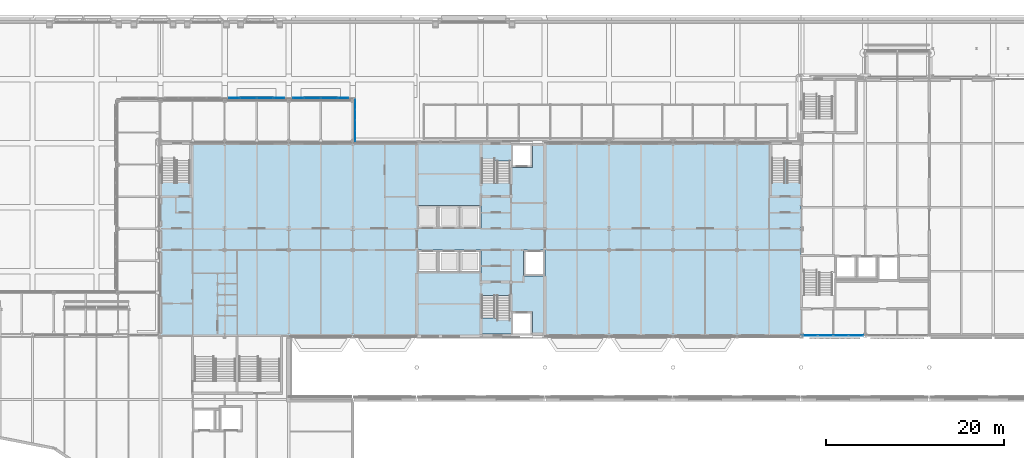
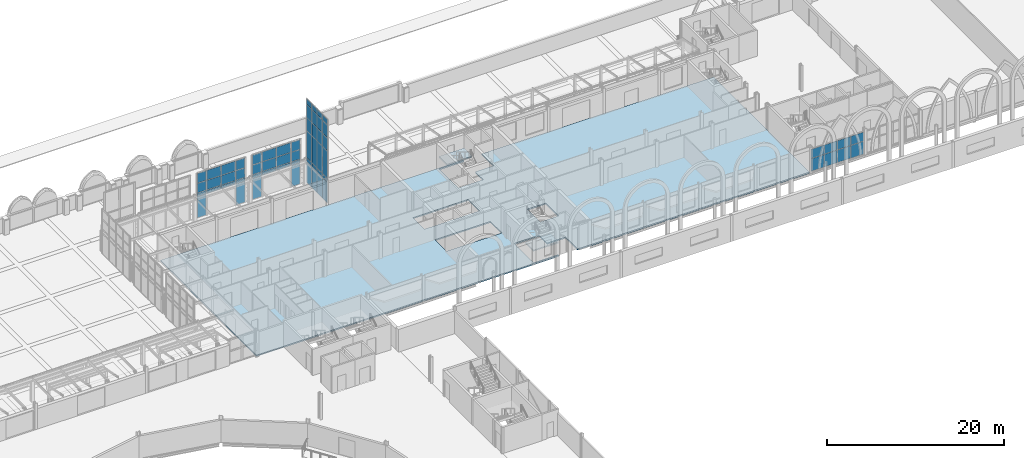
# One storey, part 66 of 143: 60 plates, 3 slabs, 10 elements without a shape of their own.
"""IFC4 building model written with IfcOpenShell, lengths in metres."""

from ifc_helpers import new_model, si_unit, direction, frame, origin, origin_2d, place, context, subcontext, project, spatial, polyline, rectangle, outline, extrude, material, layer, layer_set, type_object, element, aggregate, save


model = new_model("IFC4")

# Units and contexts
model_context = context("Model", 3, precision=1e-05, world=origin(), true_north=direction((0.0, 1.0)))
body_context = subcontext(model_context, "Body", "Model", "MODEL_VIEW")
ifc_project = project(units=[si_unit("LENGTHUNIT", "METRE"), si_unit("AREAUNIT", "SQUARE_METRE"), si_unit("VOLUMEUNIT", "CUBIC_METRE"), si_unit("PLANEANGLEUNIT", "RADIAN"), si_unit("MASSUNIT", "GRAM", prefix="KILO")], contexts=[model_context])

# Site, building, storey
site_placement = place(None, origin())
site = spatial("IfcSite", under=ifc_project, at=site_placement, CompositionType="ELEMENT")
building_placement = place(site_placement, origin())
building = spatial("IfcBuilding", under=site, at=building_placement, Name="Kupolbacken Congress Centre", CompositionType="ELEMENT")
storey_placement = place(building_placement, frame((0.0, 0.0, 7.199951171875)))
storey = spatial("IfcBuildingStorey", under=building, at=storey_placement, Name="L02", CompositionType="ELEMENT", Elevation=7.199951171875)

# Slab
ifc_material_1 = material(Name="Concrete C30/37", Category="concrete")
ifc_layer_1 = layer(ifc_material_1, 0.1201171875)
ifc_material_2 = material(Name="Steel S350 profiled deck", Category="steel")
ifc_layer_2 = layer(ifc_material_2, 0.06005859375)
ifc_layer_set_1 = layer_set([ifc_layer_1, ifc_layer_2], Name="Concrete C30/37 / Steel S350 profiled deck")
slab_type_1 = type_object("IfcSlabType", Name="FS3 slab 180", PredefinedType="FLOOR", material=ifc_layer_set_1)
slab_1_placement = place(storey_placement, frame((0.0, 0.0, -0.179931640625)))
element("IfcSlab", 1, at=slab_1_placement, inside=storey, type_object=slab_type_1, Name="S/floor/T/L02/slab/slab", PredefinedType="FLOOR", context=body_context, shape_type="SweptSolid", body=[
    extrude(outline(polyline([(136.799560546875, 122.400390625), (136.799560546875, 143.99951171875), (106.6005859375, 143.99951171875), (106.6005859375, 141.299560546875), (104.200439453125, 141.299560546875), (104.200439453125, 139.509521484375), (100.974609375, 139.509521484375), (100.974609375, 143.825439453125), (104.199462890625, 143.825439453125), (104.199462890625, 143.99951171875), (64.800537109375, 143.99951171875), (64.800537109375, 122.400390625), (104.199462890625, 122.400390625), (104.199462890625, 122.574462890625), (100.974609375, 122.574462890625), (100.974609375, 126.890380859375), (104.200439453125, 126.890380859375), (104.200439453125, 125.1005859375), (106.6005859375, 125.1005859375), (106.6005859375, 122.400390625), (136.799560546875, 122.400390625)]), holes=[polyline([(105.599609375, 132.00048828125), (108.00048828125, 132.00048828125), (108.00048828125, 129.099609375), (105.599609375, 129.099609375), (105.599609375, 132.00048828125)]), polyline([(93.599609375, 137.00048828125), (100.800537109375, 137.00048828125), (100.800537109375, 134.3994140625), (93.599609375, 134.3994140625), (93.599609375, 137.00048828125)]), polyline([(93.599609375, 129.3994140625), (93.599609375, 132.00048828125), (100.800537109375, 132.00048828125), (100.800537109375, 129.3994140625), (93.599609375, 129.3994140625)])]), origin(), (0.0, 0.0, 1.0), 0.179931640625),
])

# Curtain wall, plates
ifc_material_3 = material(Name="Aluminium mullion-transom frame with glass", Category="aluminium")
curtain_wall_type = type_object("IfcCurtainWallType", Name="CW1 curtain wall 7200x3600", PredefinedType="NOTDEFINED", material=ifc_material_3)
curtain_wall_1_placement = place(storey_placement, origin())
curtain_wall_1 = element("IfcCurtainWall", 2, at=curtain_wall_1_placement, inside=storey, type_object=curtain_wall_type, Name="E/BF/S/L02/223", PredefinedType="NOTDEFINED")
ifc_material_4 = material(Name="Glass", Category="glass")
ifc_layer_3 = layer(ifc_material_4, 0.035888671875)
ifc_layer_set_2 = layer_set([ifc_layer_3], Name="Glass")
plate_type = type_object("IfcPlateType", Name="GL2 glass panel 36", PredefinedType="CURTAIN_PANEL", material=ifc_layer_set_2)
plate_1_placement = place(storey_placement, frame((137.824951171875, 122.39990234375, 0.050048828125), z_axis=(0.0, 0.0, 1.0), x_axis=(1.0, 0.0, 0.0)))
plate_1 = element("IfcPlate", 3, at=plate_1_placement, type_object=plate_type, Name="CW1 panel 1.1", PredefinedType="CURTAIN_PANEL", context=body_context, shape_type="SweptSolid", body=[
    extrude(rectangle(XDim=1.64990234375, YDim=0.035888671875, at=origin_2d()), origin(), (0.0, 0.0, 1.0), 1.72509765625),
])
plate_2_placement = place(storey_placement, frame((137.824951171875, 122.39990234375, 1.824951171875), z_axis=(0.0, 0.0, 1.0), x_axis=(1.0, 0.0, 0.0)))
plate_2 = element("IfcPlate", 4, at=plate_2_placement, type_object=plate_type, Name="CW1 panel 1.2", PredefinedType="CURTAIN_PANEL", context=body_context, shape_type="SweptSolid", body=[
    extrude(rectangle(XDim=1.64990234375, YDim=0.035888671875, at=origin_2d()), origin(), (0.0, 0.0, 1.0), 1.2451171875),
])
plate_3_placement = place(storey_placement, frame((139.53759765625, 122.39990234375, 0.050048828125), z_axis=(0.0, 0.0, 1.0), x_axis=(1.0, 0.0, 0.0)))
plate_3 = element("IfcPlate", 5, at=plate_3_placement, type_object=plate_type, Name="CW1 panel 2.1", PredefinedType="CURTAIN_PANEL", context=body_context, shape_type="SweptSolid", body=[
    extrude(rectangle(XDim=1.675048828125, YDim=0.035888671875, at=origin_2d()), origin(), (0.0, 0.0, 1.0), 1.72509765625),
])
plate_4_placement = place(storey_placement, frame((139.53759765625, 122.39990234375, 1.824951171875), z_axis=(0.0, 0.0, 1.0), x_axis=(1.0, 0.0, 0.0)))
plate_4 = element("IfcPlate", 6, at=plate_4_placement, type_object=plate_type, Name="CW1 panel 2.2", PredefinedType="CURTAIN_PANEL", context=body_context, shape_type="SweptSolid", body=[
    extrude(rectangle(XDim=1.675048828125, YDim=0.035888671875, at=origin_2d()), origin(), (0.0, 0.0, 1.0), 1.2451171875),
])
plate_5_placement = place(storey_placement, frame((141.262451171875, 122.39990234375, 0.050048828125), z_axis=(0.0, 0.0, 1.0), x_axis=(1.0, 0.0, 0.0)))
plate_5 = element("IfcPlate", 7, at=plate_5_placement, type_object=plate_type, Name="CW1 panel 3.1", PredefinedType="CURTAIN_PANEL", context=body_context, shape_type="SweptSolid", body=[
    extrude(rectangle(XDim=1.675048828125, YDim=0.035888671875, at=origin_2d()), origin(), (0.0, 0.0, 1.0), 1.72509765625),
])
plate_6_placement = place(storey_placement, frame((141.262451171875, 122.39990234375, 1.824951171875), z_axis=(0.0, 0.0, 1.0), x_axis=(1.0, 0.0, 0.0)))
plate_6 = element("IfcPlate", 8, at=plate_6_placement, type_object=plate_type, Name="CW1 panel 3.2", PredefinedType="CURTAIN_PANEL", context=body_context, shape_type="SweptSolid", body=[
    extrude(rectangle(XDim=1.675048828125, YDim=0.035888671875, at=origin_2d()), origin(), (0.0, 0.0, 1.0), 1.2451171875),
])
plate_7_placement = place(storey_placement, frame((142.97509765625, 122.39990234375, 0.050048828125), z_axis=(0.0, 0.0, 1.0), x_axis=(1.0, 0.0, 0.0)))
plate_7 = element("IfcPlate", 9, at=plate_7_placement, type_object=plate_type, Name="CW1 panel 4.1", PredefinedType="CURTAIN_PANEL", context=body_context, shape_type="SweptSolid", body=[
    extrude(rectangle(XDim=1.64990234375, YDim=0.035888671875, at=origin_2d()), origin(), (0.0, 0.0, 1.0), 1.72509765625),
])
plate_8_placement = place(storey_placement, frame((142.97509765625, 122.39990234375, 1.824951171875), z_axis=(0.0, 0.0, 1.0), x_axis=(1.0, 0.0, 0.0)))
plate_8 = element("IfcPlate", 10, at=plate_8_placement, type_object=plate_type, Name="CW1 panel 4.2", PredefinedType="CURTAIN_PANEL", context=body_context, shape_type="SweptSolid", body=[
    extrude(rectangle(XDim=1.64990234375, YDim=0.035888671875, at=origin_2d()), origin(), (0.0, 0.0, 1.0), 1.2451171875),
])
aggregate(curtain_wall_1, [plate_1, plate_2, plate_3, plate_4, plate_5, plate_6, plate_7, plate_8])

curtain_wall_2_placement = place(storey_placement, origin())
curtain_wall_2 = element("IfcCurtainWall", 11, at=curtain_wall_2_placement, inside=storey, type_object=curtain_wall_type, Name="E/T/portal/N/screen72/sideW", PredefinedType="NOTDEFINED")
plate_9_placement = place(storey_placement, frame((73.074951171875, 149.074951171875, 0.05029296875), z_axis=(0.0, 0.0, 1.0), x_axis=(-1.0, 0.0, 0.0)))
plate_9 = element("IfcPlate", 12, at=plate_9_placement, type_object=plate_type, Name="CW1 panel 1.1", PredefinedType="CURTAIN_PANEL", context=body_context, shape_type="SweptSolid", body=[
    extrude(rectangle(XDim=1.14990234375, YDim=0.035888671875, at=origin_2d()), origin(), (0.0, 0.0, 1.0), 2.824951171875),
])
plate_10_placement = place(storey_placement, frame((73.074951171875, 149.074951171875, 2.925048828125), z_axis=(0.0, 0.0, 1.0), x_axis=(-1.0, 0.0, 0.0)))
plate_10 = element("IfcPlate", 13, at=plate_10_placement, type_object=plate_type, Name="CW1 panel 1.2", PredefinedType="CURTAIN_PANEL", context=body_context, shape_type="SweptSolid", body=[
    extrude(rectangle(XDim=1.14990234375, YDim=0.035888671875, at=origin_2d()), origin(), (0.0, 0.0, 1.0), 0.5),
])
plate_11_placement = place(storey_placement, frame((73.074951171875, 149.074951171875, 3.47509765625), z_axis=(0.0, 0.0, 1.0), x_axis=(-1.0, 0.0, 0.0)))
plate_11 = element("IfcPlate", 14, at=plate_11_placement, type_object=plate_type, Name="CW1 panel 1.3", PredefinedType="CURTAIN_PANEL", context=body_context, shape_type="SweptSolid", body=[
    extrude(rectangle(XDim=1.14990234375, YDim=0.035888671875, at=origin_2d()), origin(), (0.0, 0.0, 1.0), 1.300048828125),
])
plate_12_placement = place(storey_placement, frame((73.074951171875, 149.074951171875, 4.8251953125), z_axis=(0.0, 0.0, 1.0), x_axis=(-1.0, 0.0, 0.0)))
plate_12 = element("IfcPlate", 15, at=plate_12_placement, type_object=plate_type, Name="CW1 panel 1.4", PredefinedType="CURTAIN_PANEL", context=body_context, shape_type="SweptSolid", body=[
    extrude(rectangle(XDim=1.14990234375, YDim=0.035888671875, at=origin_2d()), origin(), (0.0, 0.0, 1.0), 1.324951171875),
])
aggregate(curtain_wall_2, [plate_9, plate_10, plate_11, plate_12])

curtain_wall_3_placement = place(storey_placement, origin())
curtain_wall_3 = element("IfcCurtainWall", 16, at=curtain_wall_3_placement, inside=storey, type_object=curtain_wall_type, Name="E/T/portal/N/screen72/sideE", PredefinedType="NOTDEFINED")
plate_13_placement = place(storey_placement, frame((78.125, 149.074951171875, 0.05029296875), z_axis=(0.0, 0.0, 1.0), x_axis=(-1.0, 0.0, 0.0)))
plate_13 = element("IfcPlate", 17, at=plate_13_placement, type_object=plate_type, Name="CW1 panel 1.1", PredefinedType="CURTAIN_PANEL", context=body_context, shape_type="SweptSolid", body=[
    extrude(rectangle(XDim=1.14990234375, YDim=0.035888671875, at=origin_2d()), origin(), (0.0, 0.0, 1.0), 2.824951171875),
])
plate_14_placement = place(storey_placement, frame((78.125, 149.074951171875, 2.925048828125), z_axis=(0.0, 0.0, 1.0), x_axis=(-1.0, 0.0, 0.0)))
plate_14 = element("IfcPlate", 18, at=plate_14_placement, type_object=plate_type, Name="CW1 panel 1.2", PredefinedType="CURTAIN_PANEL", context=body_context, shape_type="SweptSolid", body=[
    extrude(rectangle(XDim=1.14990234375, YDim=0.035888671875, at=origin_2d()), origin(), (0.0, 0.0, 1.0), 0.5),
])
plate_15_placement = place(storey_placement, frame((78.125, 149.074951171875, 3.47509765625), z_axis=(0.0, 0.0, 1.0), x_axis=(-1.0, 0.0, 0.0)))
plate_15 = element("IfcPlate", 19, at=plate_15_placement, type_object=plate_type, Name="CW1 panel 1.3", PredefinedType="CURTAIN_PANEL", context=body_context, shape_type="SweptSolid", body=[
    extrude(rectangle(XDim=1.14990234375, YDim=0.035888671875, at=origin_2d()), origin(), (0.0, 0.0, 1.0), 1.300048828125),
])
plate_16_placement = place(storey_placement, frame((78.125, 149.074951171875, 4.8251953125), z_axis=(0.0, 0.0, 1.0), x_axis=(-1.0, 0.0, 0.0)))
plate_16 = element("IfcPlate", 20, at=plate_16_placement, type_object=plate_type, Name="CW1 panel 1.4", PredefinedType="CURTAIN_PANEL", context=body_context, shape_type="SweptSolid", body=[
    extrude(rectangle(XDim=1.14990234375, YDim=0.035888671875, at=origin_2d()), origin(), (0.0, 0.0, 1.0), 1.324951171875),
])
aggregate(curtain_wall_3, [plate_13, plate_14, plate_15, plate_16])

curtain_wall_4_placement = place(storey_placement, origin())
curtain_wall_4 = element("IfcCurtainWall", 21, at=curtain_wall_4_placement, inside=storey, type_object=curtain_wall_type, Name="E/T/portal/N/screen72/over", PredefinedType="NOTDEFINED")
plate_17_placement = place(storey_placement, frame((76.53759765625, 149.074951171875, 2.949951171875), z_axis=(0.0, 0.0, 1.0), x_axis=(-1.0, 0.0, 0.0)))
plate_17 = element("IfcPlate", 22, at=plate_17_placement, type_object=plate_type, Name="CW1 panel 1.1", PredefinedType="CURTAIN_PANEL", context=body_context, shape_type="SweptSolid", body=[
    extrude(rectangle(XDim=1.824951171875, YDim=0.035888671875, at=origin_2d()), origin(), (0.0, 0.0, 1.0), 0.47509765625),
])
plate_18_placement = place(storey_placement, frame((76.53759765625, 149.074951171875, 3.47509765625), z_axis=(0.0, 0.0, 1.0), x_axis=(-1.0, 0.0, 0.0)))
plate_18 = element("IfcPlate", 23, at=plate_18_placement, type_object=plate_type, Name="CW1 panel 1.2", PredefinedType="CURTAIN_PANEL", context=body_context, shape_type="SweptSolid", body=[
    extrude(rectangle(XDim=1.824951171875, YDim=0.035888671875, at=origin_2d()), origin(), (0.0, 0.0, 1.0), 1.300048828125),
])
plate_19_placement = place(storey_placement, frame((76.53759765625, 149.074951171875, 4.8251953125), z_axis=(0.0, 0.0, 1.0), x_axis=(-1.0, 0.0, 0.0)))
plate_19 = element("IfcPlate", 24, at=plate_19_placement, type_object=plate_type, Name="CW1 panel 1.3", PredefinedType="CURTAIN_PANEL", context=body_context, shape_type="SweptSolid", body=[
    extrude(rectangle(XDim=1.824951171875, YDim=0.035888671875, at=origin_2d()), origin(), (0.0, 0.0, 1.0), 1.324951171875),
])
plate_20_placement = place(storey_placement, frame((74.66259765625, 149.074951171875, 2.949951171875), z_axis=(0.0, 0.0, 1.0), x_axis=(-1.0, 0.0, 0.0)))
plate_20 = element("IfcPlate", 25, at=plate_20_placement, type_object=plate_type, Name="CW1 panel 2.1", PredefinedType="CURTAIN_PANEL", context=body_context, shape_type="SweptSolid", body=[
    extrude(rectangle(XDim=1.824951171875, YDim=0.035888671875, at=origin_2d()), origin(), (0.0, 0.0, 1.0), 0.47509765625),
])
plate_21_placement = place(storey_placement, frame((74.66259765625, 149.074951171875, 3.47509765625), z_axis=(0.0, 0.0, 1.0), x_axis=(-1.0, 0.0, 0.0)))
plate_21 = element("IfcPlate", 26, at=plate_21_placement, type_object=plate_type, Name="CW1 panel 2.2", PredefinedType="CURTAIN_PANEL", context=body_context, shape_type="SweptSolid", body=[
    extrude(rectangle(XDim=1.824951171875, YDim=0.035888671875, at=origin_2d()), origin(), (0.0, 0.0, 1.0), 1.300048828125),
])
plate_22_placement = place(storey_placement, frame((74.66259765625, 149.074951171875, 4.8251953125), z_axis=(0.0, 0.0, 1.0), x_axis=(-1.0, 0.0, 0.0)))
plate_22 = element("IfcPlate", 27, at=plate_22_placement, type_object=plate_type, Name="CW1 panel 2.3", PredefinedType="CURTAIN_PANEL", context=body_context, shape_type="SweptSolid", body=[
    extrude(rectangle(XDim=1.824951171875, YDim=0.035888671875, at=origin_2d()), origin(), (0.0, 0.0, 1.0), 1.324951171875),
])
aggregate(curtain_wall_4, [plate_17, plate_18, plate_19, plate_20, plate_21, plate_22])

curtain_wall_5_placement = place(storey_placement, origin())
curtain_wall_5 = element("IfcCurtainWall", 28, at=curtain_wall_5_placement, inside=storey, type_object=curtain_wall_type, Name="E/T/portal/N/screen79.2/sideW", PredefinedType="NOTDEFINED")
plate_23_placement = place(storey_placement, frame((80.27490234375, 149.074951171875, 0.05029296875), z_axis=(0.0, 0.0, 1.0), x_axis=(-1.0, 0.0, 0.0)))
plate_23 = element("IfcPlate", 29, at=plate_23_placement, type_object=plate_type, Name="CW1 panel 1.1", PredefinedType="CURTAIN_PANEL", context=body_context, shape_type="SweptSolid", body=[
    extrude(rectangle(XDim=1.14990234375, YDim=0.035888671875, at=origin_2d()), origin(), (0.0, 0.0, 1.0), 2.824951171875),
])
plate_24_placement = place(storey_placement, frame((80.27490234375, 149.074951171875, 2.925048828125), z_axis=(0.0, 0.0, 1.0), x_axis=(-1.0, 0.0, 0.0)))
plate_24 = element("IfcPlate", 30, at=plate_24_placement, type_object=plate_type, Name="CW1 panel 1.2", PredefinedType="CURTAIN_PANEL", context=body_context, shape_type="SweptSolid", body=[
    extrude(rectangle(XDim=1.14990234375, YDim=0.035888671875, at=origin_2d()), origin(), (0.0, 0.0, 1.0), 0.5),
])
plate_25_placement = place(storey_placement, frame((80.27490234375, 149.074951171875, 3.47509765625), z_axis=(0.0, 0.0, 1.0), x_axis=(-1.0, 0.0, 0.0)))
plate_25 = element("IfcPlate", 31, at=plate_25_placement, type_object=plate_type, Name="CW1 panel 1.3", PredefinedType="CURTAIN_PANEL", context=body_context, shape_type="SweptSolid", body=[
    extrude(rectangle(XDim=1.14990234375, YDim=0.035888671875, at=origin_2d()), origin(), (0.0, 0.0, 1.0), 1.300048828125),
])
plate_26_placement = place(storey_placement, frame((80.27490234375, 149.074951171875, 4.8251953125), z_axis=(0.0, 0.0, 1.0), x_axis=(-1.0, 0.0, 0.0)))
plate_26 = element("IfcPlate", 32, at=plate_26_placement, type_object=plate_type, Name="CW1 panel 1.4", PredefinedType="CURTAIN_PANEL", context=body_context, shape_type="SweptSolid", body=[
    extrude(rectangle(XDim=1.14990234375, YDim=0.035888671875, at=origin_2d()), origin(), (0.0, 0.0, 1.0), 1.324951171875),
])
aggregate(curtain_wall_5, [plate_23, plate_24, plate_25, plate_26])

curtain_wall_6_placement = place(storey_placement, origin())
curtain_wall_6 = element("IfcCurtainWall", 33, at=curtain_wall_6_placement, inside=storey, type_object=curtain_wall_type, Name="E/T/portal/N/screen79.2/sideE", PredefinedType="NOTDEFINED")
plate_27_placement = place(storey_placement, frame((85.324951171875, 149.074951171875, 0.05029296875), z_axis=(0.0, 0.0, 1.0), x_axis=(-1.0, 0.0, 0.0)))
plate_27 = element("IfcPlate", 34, at=plate_27_placement, type_object=plate_type, Name="CW1 panel 1.1", PredefinedType="CURTAIN_PANEL", context=body_context, shape_type="SweptSolid", body=[
    extrude(rectangle(XDim=1.14990234375, YDim=0.035888671875, at=origin_2d()), origin(), (0.0, 0.0, 1.0), 2.824951171875),
])
plate_28_placement = place(storey_placement, frame((85.324951171875, 149.074951171875, 2.925048828125), z_axis=(0.0, 0.0, 1.0), x_axis=(-1.0, 0.0, 0.0)))
plate_28 = element("IfcPlate", 35, at=plate_28_placement, type_object=plate_type, Name="CW1 panel 1.2", PredefinedType="CURTAIN_PANEL", context=body_context, shape_type="SweptSolid", body=[
    extrude(rectangle(XDim=1.14990234375, YDim=0.035888671875, at=origin_2d()), origin(), (0.0, 0.0, 1.0), 0.5),
])
plate_29_placement = place(storey_placement, frame((85.324951171875, 149.074951171875, 3.47509765625), z_axis=(0.0, 0.0, 1.0), x_axis=(-1.0, 0.0, 0.0)))
plate_29 = element("IfcPlate", 36, at=plate_29_placement, type_object=plate_type, Name="CW1 panel 1.3", PredefinedType="CURTAIN_PANEL", context=body_context, shape_type="SweptSolid", body=[
    extrude(rectangle(XDim=1.14990234375, YDim=0.035888671875, at=origin_2d()), origin(), (0.0, 0.0, 1.0), 1.300048828125),
])
plate_30_placement = place(storey_placement, frame((85.324951171875, 149.074951171875, 4.8251953125), z_axis=(0.0, 0.0, 1.0), x_axis=(-1.0, 0.0, 0.0)))
plate_30 = element("IfcPlate", 37, at=plate_30_placement, type_object=plate_type, Name="CW1 panel 1.4", PredefinedType="CURTAIN_PANEL", context=body_context, shape_type="SweptSolid", body=[
    extrude(rectangle(XDim=1.14990234375, YDim=0.035888671875, at=origin_2d()), origin(), (0.0, 0.0, 1.0), 1.324951171875),
])
aggregate(curtain_wall_6, [plate_27, plate_28, plate_29, plate_30])

curtain_wall_7_placement = place(storey_placement, origin())
curtain_wall_7 = element("IfcCurtainWall", 38, at=curtain_wall_7_placement, inside=storey, type_object=curtain_wall_type, Name="E/T/portal/N/screen79.2/over", PredefinedType="NOTDEFINED")
plate_31_placement = place(storey_placement, frame((83.737548828125, 149.074951171875, 2.949951171875), z_axis=(0.0, 0.0, 1.0), x_axis=(-1.0, 0.0, 0.0)))
plate_31 = element("IfcPlate", 39, at=plate_31_placement, type_object=plate_type, Name="CW1 panel 1.1", PredefinedType="CURTAIN_PANEL", context=body_context, shape_type="SweptSolid", body=[
    extrude(rectangle(XDim=1.824951171875, YDim=0.035888671875, at=origin_2d()), origin(), (0.0, 0.0, 1.0), 0.47509765625),
])
plate_32_placement = place(storey_placement, frame((83.737548828125, 149.074951171875, 3.47509765625), z_axis=(0.0, 0.0, 1.0), x_axis=(-1.0, 0.0, 0.0)))
plate_32 = element("IfcPlate", 40, at=plate_32_placement, type_object=plate_type, Name="CW1 panel 1.2", PredefinedType="CURTAIN_PANEL", context=body_context, shape_type="SweptSolid", body=[
    extrude(rectangle(XDim=1.824951171875, YDim=0.035888671875, at=origin_2d()), origin(), (0.0, 0.0, 1.0), 1.300048828125),
])
plate_33_placement = place(storey_placement, frame((83.737548828125, 149.074951171875, 4.8251953125), z_axis=(0.0, 0.0, 1.0), x_axis=(-1.0, 0.0, 0.0)))
plate_33 = element("IfcPlate", 41, at=plate_33_placement, type_object=plate_type, Name="CW1 panel 1.3", PredefinedType="CURTAIN_PANEL", context=body_context, shape_type="SweptSolid", body=[
    extrude(rectangle(XDim=1.824951171875, YDim=0.035888671875, at=origin_2d()), origin(), (0.0, 0.0, 1.0), 1.324951171875),
])
plate_34_placement = place(storey_placement, frame((81.862548828125, 149.074951171875, 2.949951171875), z_axis=(0.0, 0.0, 1.0), x_axis=(-1.0, 0.0, 0.0)))
plate_34 = element("IfcPlate", 42, at=plate_34_placement, type_object=plate_type, Name="CW1 panel 2.1", PredefinedType="CURTAIN_PANEL", context=body_context, shape_type="SweptSolid", body=[
    extrude(rectangle(XDim=1.824951171875, YDim=0.035888671875, at=origin_2d()), origin(), (0.0, 0.0, 1.0), 0.47509765625),
])
plate_35_placement = place(storey_placement, frame((81.862548828125, 149.074951171875, 3.47509765625), z_axis=(0.0, 0.0, 1.0), x_axis=(-1.0, 0.0, 0.0)))
plate_35 = element("IfcPlate", 43, at=plate_35_placement, type_object=plate_type, Name="CW1 panel 2.2", PredefinedType="CURTAIN_PANEL", context=body_context, shape_type="SweptSolid", body=[
    extrude(rectangle(XDim=1.824951171875, YDim=0.035888671875, at=origin_2d()), origin(), (0.0, 0.0, 1.0), 1.300048828125),
])
plate_36_placement = place(storey_placement, frame((81.862548828125, 149.074951171875, 4.8251953125), z_axis=(0.0, 0.0, 1.0), x_axis=(-1.0, 0.0, 0.0)))
plate_36 = element("IfcPlate", 44, at=plate_36_placement, type_object=plate_type, Name="CW1 panel 2.3", PredefinedType="CURTAIN_PANEL", context=body_context, shape_type="SweptSolid", body=[
    extrude(rectangle(XDim=1.824951171875, YDim=0.035888671875, at=origin_2d()), origin(), (0.0, 0.0, 1.0), 1.324951171875),
])
aggregate(curtain_wall_7, [plate_31, plate_32, plate_33, plate_34, plate_35, plate_36])

curtain_wall_8_placement = place(storey_placement, origin())
curtain_wall_8 = element("IfcCurtainWall", 45, at=curtain_wall_8_placement, inside=storey, type_object=curtain_wall_type, Name="E/T/portal/N/screenE", PredefinedType="NOTDEFINED")
plate_37_placement = place(storey_placement, frame((86.679931640625, 148.360107421875, 0.05029296875), z_axis=(0.0, 0.0, 1.0), x_axis=(0.0, -1.0, 0.0)))
plate_37 = element("IfcPlate", 46, at=plate_37_placement, type_object=plate_type, Name="CW1 panel 1.1", PredefinedType="CURTAIN_PANEL", context=body_context, shape_type="SweptSolid", body=[
    extrude(rectangle(XDim=1.1201171875, YDim=0.035888671875, at=origin_2d()), origin(), (0.0, 0.0, 1.0), 2.824951171875),
])
plate_38_placement = place(storey_placement, frame((86.679931640625, 148.360107421875, 2.925048828125), z_axis=(0.0, 0.0, 1.0), x_axis=(0.0, -1.0, 0.0)))
plate_38 = element("IfcPlate", 47, at=plate_38_placement, type_object=plate_type, Name="CW1 panel 1.2", PredefinedType="CURTAIN_PANEL", context=body_context, shape_type="SweptSolid", body=[
    extrude(rectangle(XDim=1.1201171875, YDim=0.035888671875, at=origin_2d()), origin(), (0.0, 0.0, 1.0), 0.5),
])
plate_39_placement = place(storey_placement, frame((86.679931640625, 148.360107421875, 3.47509765625), z_axis=(0.0, 0.0, 1.0), x_axis=(0.0, -1.0, 0.0)))
plate_39 = element("IfcPlate", 48, at=plate_39_placement, type_object=plate_type, Name="CW1 panel 1.3", PredefinedType="CURTAIN_PANEL", context=body_context, shape_type="SweptSolid", body=[
    extrude(rectangle(XDim=1.1201171875, YDim=0.035888671875, at=origin_2d()), origin(), (0.0, 0.0, 1.0), 3.699951171875),
])
plate_40_placement = place(storey_placement, frame((86.679931640625, 148.360107421875, 7.22509765625), z_axis=(0.0, 0.0, 1.0), x_axis=(0.0, -1.0, 0.0)))
plate_40 = element("IfcPlate", 49, at=plate_40_placement, type_object=plate_type, Name="CW1 panel 1.4", PredefinedType="CURTAIN_PANEL", context=body_context, shape_type="SweptSolid", body=[
    extrude(rectangle(XDim=1.1201171875, YDim=0.035888671875, at=origin_2d()), origin(), (0.0, 0.0, 1.0), 1.75),
])
plate_41_placement = place(storey_placement, frame((86.679931640625, 148.360107421875, 9.025146484375), z_axis=(0.0, 0.0, 1.0), x_axis=(0.0, -1.0, 0.0)))
plate_41 = element("IfcPlate", 50, at=plate_41_placement, type_object=plate_type, Name="CW1 panel 1.5", PredefinedType="CURTAIN_PANEL", context=body_context, shape_type="SweptSolid", body=[
    extrude(rectangle(XDim=1.1201171875, YDim=0.035888671875, at=origin_2d()), origin(), (0.0, 0.0, 1.0), 1.75),
])
plate_42_placement = place(storey_placement, frame((86.679931640625, 148.360107421875, 10.824951171875), z_axis=(0.0, 0.0, 1.0), x_axis=(0.0, -1.0, 0.0)))
plate_42 = element("IfcPlate", 51, at=plate_42_placement, type_object=plate_type, Name="CW1 panel 1.6", PredefinedType="CURTAIN_PANEL", context=body_context, shape_type="SweptSolid", body=[
    extrude(rectangle(XDim=1.1201171875, YDim=0.035888671875, at=origin_2d()), origin(), (0.0, 0.0, 1.0), 0.72509765625),
])
plate_43_placement = place(storey_placement, frame((86.679931640625, 147.177490234375, 0.05029296875), z_axis=(0.0, 0.0, 1.0), x_axis=(0.0, -1.0, 0.0)))
plate_43 = element("IfcPlate", 52, at=plate_43_placement, type_object=plate_type, Name="CW1 panel 2.1", PredefinedType="CURTAIN_PANEL", context=body_context, shape_type="SweptSolid", body=[
    extrude(rectangle(XDim=1.14501953125, YDim=0.035888671875, at=origin_2d()), origin(), (0.0, 0.0, 1.0), 2.824951171875),
])
plate_44_placement = place(storey_placement, frame((86.679931640625, 147.177490234375, 2.925048828125), z_axis=(0.0, 0.0, 1.0), x_axis=(0.0, -1.0, 0.0)))
plate_44 = element("IfcPlate", 53, at=plate_44_placement, type_object=plate_type, Name="CW1 panel 2.2", PredefinedType="CURTAIN_PANEL", context=body_context, shape_type="SweptSolid", body=[
    extrude(rectangle(XDim=1.14501953125, YDim=0.035888671875, at=origin_2d()), origin(), (0.0, 0.0, 1.0), 0.5),
])
plate_45_placement = place(storey_placement, frame((86.679931640625, 147.177490234375, 3.47509765625), z_axis=(0.0, 0.0, 1.0), x_axis=(0.0, -1.0, 0.0)))
plate_45 = element("IfcPlate", 54, at=plate_45_placement, type_object=plate_type, Name="CW1 panel 2.3", PredefinedType="CURTAIN_PANEL", context=body_context, shape_type="SweptSolid", body=[
    extrude(rectangle(XDim=1.14501953125, YDim=0.035888671875, at=origin_2d()), origin(), (0.0, 0.0, 1.0), 3.699951171875),
])
plate_46_placement = place(storey_placement, frame((86.679931640625, 147.177490234375, 7.22509765625), z_axis=(0.0, 0.0, 1.0), x_axis=(0.0, -1.0, 0.0)))
plate_46 = element("IfcPlate", 55, at=plate_46_placement, type_object=plate_type, Name="CW1 panel 2.4", PredefinedType="CURTAIN_PANEL", context=body_context, shape_type="SweptSolid", body=[
    extrude(rectangle(XDim=1.14501953125, YDim=0.035888671875, at=origin_2d()), origin(), (0.0, 0.0, 1.0), 1.75),
])
plate_47_placement = place(storey_placement, frame((86.679931640625, 147.177490234375, 9.025146484375), z_axis=(0.0, 0.0, 1.0), x_axis=(0.0, -1.0, 0.0)))
plate_47 = element("IfcPlate", 56, at=plate_47_placement, type_object=plate_type, Name="CW1 panel 2.5", PredefinedType="CURTAIN_PANEL", context=body_context, shape_type="SweptSolid", body=[
    extrude(rectangle(XDim=1.14501953125, YDim=0.035888671875, at=origin_2d()), origin(), (0.0, 0.0, 1.0), 1.75),
])
plate_48_placement = place(storey_placement, frame((86.679931640625, 147.177490234375, 10.824951171875), z_axis=(0.0, 0.0, 1.0), x_axis=(0.0, -1.0, 0.0)))
plate_48 = element("IfcPlate", 57, at=plate_48_placement, type_object=plate_type, Name="CW1 panel 2.6", PredefinedType="CURTAIN_PANEL", context=body_context, shape_type="SweptSolid", body=[
    extrude(rectangle(XDim=1.14501953125, YDim=0.035888671875, at=origin_2d()), origin(), (0.0, 0.0, 1.0), 0.72509765625),
])
plate_49_placement = place(storey_placement, frame((86.679931640625, 145.982421875, 0.05029296875), z_axis=(0.0, 0.0, 1.0), x_axis=(0.0, -1.0, 0.0)))
plate_49 = element("IfcPlate", 58, at=plate_49_placement, type_object=plate_type, Name="CW1 panel 3.1", PredefinedType="CURTAIN_PANEL", context=body_context, shape_type="SweptSolid", body=[
    extrude(rectangle(XDim=1.14501953125, YDim=0.035888671875, at=origin_2d()), origin(), (0.0, 0.0, 1.0), 2.824951171875),
])
plate_50_placement = place(storey_placement, frame((86.679931640625, 145.982421875, 2.925048828125), z_axis=(0.0, 0.0, 1.0), x_axis=(0.0, -1.0, 0.0)))
plate_50 = element("IfcPlate", 59, at=plate_50_placement, type_object=plate_type, Name="CW1 panel 3.2", PredefinedType="CURTAIN_PANEL", context=body_context, shape_type="SweptSolid", body=[
    extrude(rectangle(XDim=1.14501953125, YDim=0.035888671875, at=origin_2d()), origin(), (0.0, 0.0, 1.0), 0.5),
])
plate_51_placement = place(storey_placement, frame((86.679931640625, 145.982421875, 3.47509765625), z_axis=(0.0, 0.0, 1.0), x_axis=(0.0, -1.0, 0.0)))
plate_51 = element("IfcPlate", 60, at=plate_51_placement, type_object=plate_type, Name="CW1 panel 3.3", PredefinedType="CURTAIN_PANEL", context=body_context, shape_type="SweptSolid", body=[
    extrude(rectangle(XDim=1.14501953125, YDim=0.035888671875, at=origin_2d()), origin(), (0.0, 0.0, 1.0), 3.699951171875),
])
plate_52_placement = place(storey_placement, frame((86.679931640625, 145.982421875, 7.22509765625), z_axis=(0.0, 0.0, 1.0), x_axis=(0.0, -1.0, 0.0)))
plate_52 = element("IfcPlate", 61, at=plate_52_placement, type_object=plate_type, Name="CW1 panel 3.4", PredefinedType="CURTAIN_PANEL", context=body_context, shape_type="SweptSolid", body=[
    extrude(rectangle(XDim=1.14501953125, YDim=0.035888671875, at=origin_2d()), origin(), (0.0, 0.0, 1.0), 1.75),
])
plate_53_placement = place(storey_placement, frame((86.679931640625, 145.982421875, 9.025146484375), z_axis=(0.0, 0.0, 1.0), x_axis=(0.0, -1.0, 0.0)))
plate_53 = element("IfcPlate", 62, at=plate_53_placement, type_object=plate_type, Name="CW1 panel 3.5", PredefinedType="CURTAIN_PANEL", context=body_context, shape_type="SweptSolid", body=[
    extrude(rectangle(XDim=1.14501953125, YDim=0.035888671875, at=origin_2d()), origin(), (0.0, 0.0, 1.0), 1.75),
])
plate_54_placement = place(storey_placement, frame((86.679931640625, 145.982421875, 10.824951171875), z_axis=(0.0, 0.0, 1.0), x_axis=(0.0, -1.0, 0.0)))
plate_54 = element("IfcPlate", 63, at=plate_54_placement, type_object=plate_type, Name="CW1 panel 3.6", PredefinedType="CURTAIN_PANEL", context=body_context, shape_type="SweptSolid", body=[
    extrude(rectangle(XDim=1.14501953125, YDim=0.035888671875, at=origin_2d()), origin(), (0.0, 0.0, 1.0), 0.72509765625),
])
plate_55_placement = place(storey_placement, frame((86.679931640625, 144.800048828125, 0.05029296875), z_axis=(0.0, 0.0, 1.0), x_axis=(0.0, -1.0, 0.0)))
plate_55 = element("IfcPlate", 64, at=plate_55_placement, type_object=plate_type, Name="CW1 panel 4.1", PredefinedType="CURTAIN_PANEL", context=body_context, shape_type="SweptSolid", body=[
    extrude(rectangle(XDim=1.1201171875, YDim=0.035888671875, at=origin_2d()), origin(), (0.0, 0.0, 1.0), 2.824951171875),
])
plate_56_placement = place(storey_placement, frame((86.679931640625, 144.800048828125, 2.925048828125), z_axis=(0.0, 0.0, 1.0), x_axis=(0.0, -1.0, 0.0)))
plate_56 = element("IfcPlate", 65, at=plate_56_placement, type_object=plate_type, Name="CW1 panel 4.2", PredefinedType="CURTAIN_PANEL", context=body_context, shape_type="SweptSolid", body=[
    extrude(rectangle(XDim=1.1201171875, YDim=0.035888671875, at=origin_2d()), origin(), (0.0, 0.0, 1.0), 0.5),
])
plate_57_placement = place(storey_placement, frame((86.679931640625, 144.800048828125, 3.47509765625), z_axis=(0.0, 0.0, 1.0), x_axis=(0.0, -1.0, 0.0)))
plate_57 = element("IfcPlate", 66, at=plate_57_placement, type_object=plate_type, Name="CW1 panel 4.3", PredefinedType="CURTAIN_PANEL", context=body_context, shape_type="SweptSolid", body=[
    extrude(rectangle(XDim=1.1201171875, YDim=0.035888671875, at=origin_2d()), origin(), (0.0, 0.0, 1.0), 3.699951171875),
])
plate_58_placement = place(storey_placement, frame((86.679931640625, 144.800048828125, 7.22509765625), z_axis=(0.0, 0.0, 1.0), x_axis=(0.0, -1.0, 0.0)))
plate_58 = element("IfcPlate", 67, at=plate_58_placement, type_object=plate_type, Name="CW1 panel 4.4", PredefinedType="CURTAIN_PANEL", context=body_context, shape_type="SweptSolid", body=[
    extrude(rectangle(XDim=1.1201171875, YDim=0.035888671875, at=origin_2d()), origin(), (0.0, 0.0, 1.0), 1.75),
])
plate_59_placement = place(storey_placement, frame((86.679931640625, 144.800048828125, 9.025146484375), z_axis=(0.0, 0.0, 1.0), x_axis=(0.0, -1.0, 0.0)))
plate_59 = element("IfcPlate", 68, at=plate_59_placement, type_object=plate_type, Name="CW1 panel 4.5", PredefinedType="CURTAIN_PANEL", context=body_context, shape_type="SweptSolid", body=[
    extrude(rectangle(XDim=1.1201171875, YDim=0.035888671875, at=origin_2d()), origin(), (0.0, 0.0, 1.0), 1.75),
])
plate_60_placement = place(storey_placement, frame((86.679931640625, 144.800048828125, 10.824951171875), z_axis=(0.0, 0.0, 1.0), x_axis=(0.0, -1.0, 0.0)))
plate_60 = element("IfcPlate", 69, at=plate_60_placement, type_object=plate_type, Name="CW1 panel 4.6", PredefinedType="CURTAIN_PANEL", context=body_context, shape_type="SweptSolid", body=[
    extrude(rectangle(XDim=1.1201171875, YDim=0.035888671875, at=origin_2d()), origin(), (0.0, 0.0, 1.0), 0.72509765625),
])
aggregate(curtain_wall_8, [plate_37, plate_38, plate_39, plate_40, plate_41, plate_42, plate_43, plate_44, plate_45, plate_46, plate_47, plate_48, plate_49, plate_50, plate_51, plate_52, plate_53, plate_54, plate_55, plate_56, plate_57, plate_58, plate_59, plate_60])

# Stair, slab
ifc_material_5 = material(Name="Steel S355", Category="steel")
stair_type = type_object("IfcStairType", Name="ST2 stair 1500", PredefinedType="TWO_STRAIGHT_RUN_STAIR", material=ifc_material_5)
stair_1_placement = place(storey_placement, origin())
stair_1 = element("IfcStair", 70, at=stair_1_placement, inside=storey, type_object=stair_type, Name="C/stair/TS1/L02", PredefinedType="NOTDEFINED")
ifc_material_6 = material(Name="Concrete C30/37 precast", Category="concrete")
ifc_layer_4 = layer(ifc_material_6, 0.175048828125)
ifc_layer_set_3 = layer_set([ifc_layer_4], Name="Concrete C30/37 precast")
slab_type_2 = type_object("IfcSlabType", Name="SL1 slab 175", PredefinedType="LANDING", material=ifc_layer_set_3)
slab_2_placement = place(storey_placement, frame((0.0, 0.0, 1.539306640625)))
slab_2 = element("IfcSlab", 71, at=slab_2_placement, type_object=slab_type_2, Name="TS1 landing 1", PredefinedType="LANDING", context=body_context, shape_type="SweptSolid", body=[
    extrude(outline(polyline([(100.955078125, 122.554931640625), (104.219970703125, 122.554931640625), (104.219970703125, 124.3798828125), (100.955078125, 124.3798828125), (100.955078125, 122.554931640625)])), origin(), (0.0, 0.0, 1.0), 0.175048828125),
])
aggregate(stair_1, [slab_2])

stair_2_placement = place(storey_placement, origin())
stair_2 = element("IfcStair", 72, at=stair_2_placement, inside=storey, type_object=stair_type, Name="C/stair/TS2/L02", PredefinedType="NOTDEFINED")
slab_3_placement = place(storey_placement, frame((0.0, 0.0, 1.539306640625)))
slab_3 = element("IfcSlab", 73, at=slab_3_placement, type_object=slab_type_2, Name="TS2 landing 1", PredefinedType="LANDING", context=body_context, shape_type="SweptSolid", body=[
    extrude(outline(polyline([(100.955078125, 142.02001953125), (104.219970703125, 142.02001953125), (104.219970703125, 143.844970703125), (100.955078125, 143.844970703125), (100.955078125, 142.02001953125)])), origin(), (0.0, 0.0, 1.0), 0.175048828125),
])
aggregate(stair_2, [slab_3])

save(model, "model.ifc")
